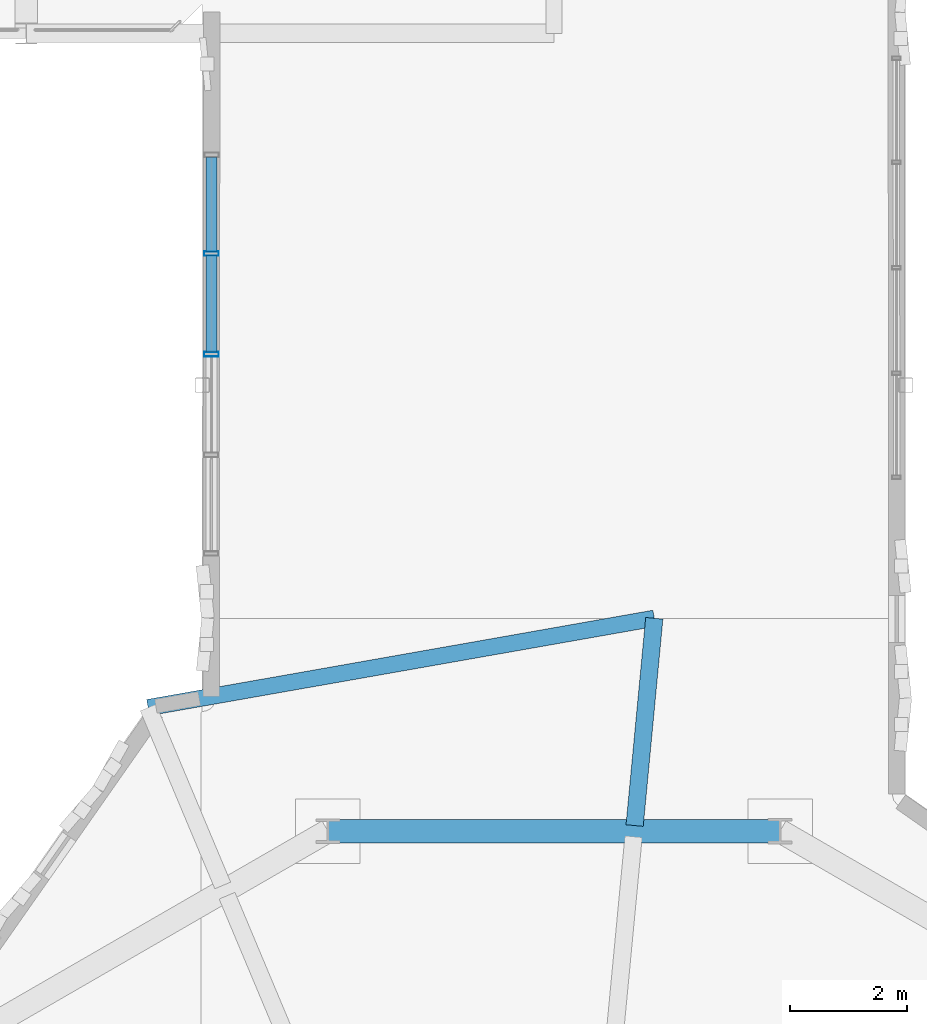
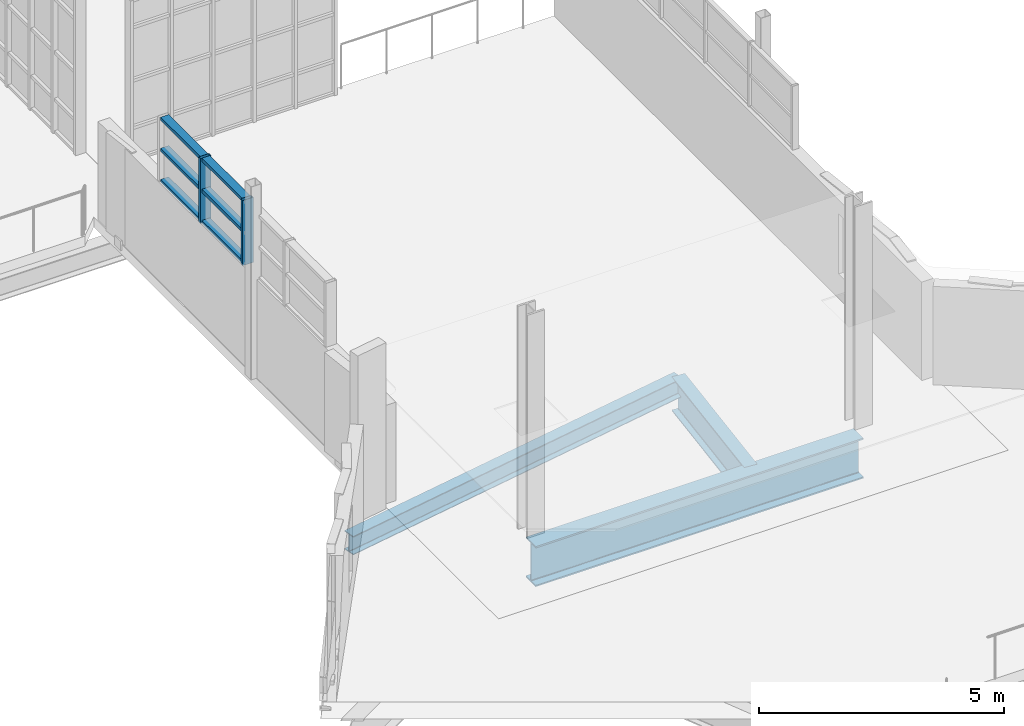
# One storey, part 13 of 36: 8 members, 3 beams, 1 element without a shape of its own.
"""IFC4 building model written with IfcOpenShell, lengths in metres."""

from ifc_helpers import new_model, si_unit, direction, frame, origin, origin_2d, place, context, subcontext, project, spatial, hollow_rectangle, i_section, extrude, material, layer, layer_set, material_profile, profile_set, type_object, element, aggregate, save


model = new_model("IFC4")

# Units and contexts
model_context = context("Model", 3, precision=1e-05, world=origin(), true_north=direction((0.0, 1.0)))
body_context = subcontext(model_context, "Body", "Model", "MODEL_VIEW")
ifc_project = project(units=[si_unit("LENGTHUNIT", "METRE"), si_unit("AREAUNIT", "SQUARE_METRE"), si_unit("VOLUMEUNIT", "CUBIC_METRE"), si_unit("PLANEANGLEUNIT", "RADIAN"), si_unit("MASSUNIT", "GRAM", prefix="KILO"), si_unit("THERMODYNAMICTEMPERATUREUNIT", "KELVIN"), si_unit("POWERUNIT", "WATT")], contexts=[model_context])

# Site, building, storey
site_placement = place(None, origin())
site = spatial("IfcSite", under=ifc_project, at=site_placement, CompositionType="ELEMENT")
building_placement = place(site_placement, origin())
building = spatial("IfcBuilding", under=site, at=building_placement, Name="Zelmaris Science Centre", CompositionType="ELEMENT")
storey_placement = place(building_placement, frame((0.0, 0.0, 25.199951171875)))
storey = spatial("IfcBuildingStorey", under=building, at=storey_placement, Name="L05", CompositionType="ELEMENT", Elevation=25.199951171875)

# Curtain wall, members
ifc_material_1 = material(Name="Anodised architectural aluminium 6063-T6", Category="aluminium")
ifc_layer = layer(ifc_material_1, 0.18994140625, Name="Anodised architectural aluminium 6063-T6")
ifc_layer_set = layer_set([ifc_layer], Name="Anodised architectural aluminium 6063-T6")
curtain_wall_type = type_object("IfcCurtainWallType", Name="Curtain Wall CW-01", PredefinedType="USERDEFINED", material=ifc_layer_set)
curtain_wall_placement = place(storey_placement, origin())
curtain_wall = element("IfcCurtainWall", 1, at=curtain_wall_placement, inside=storey, type_object=curtain_wall_type, Name="L05 Clerestory curtain wall 373", ObjectType="GLAZED CURTAIN WALL", PredefinedType="USERDEFINED")
ifc_material_profile_1 = material_profile(ifc_material_1, hollow_rectangle(XDim=0.080078125, YDim=0.25, WallThickness=0.0048828125, at=origin_2d()), Name="ALU-MUL-80X250")
ifc_profile_set_1 = profile_set([ifc_material_profile_1], Name="Anodised architectural aluminium 6063-T6")
member_type_1 = type_object("IfcMemberType", Name="ALU-MUL-80X250", PredefinedType="MULLION", material=ifc_profile_set_1)
member_1_placement = place(storey_placement, frame((75.157470703125, 58.525390625, 2.420166015625), z_axis=(0.0, 0.0, 1.0), x_axis=(0.000378736439, 0.999999928279, 0.0)))
member_1 = element("IfcMember", 2, at=member_1_placement, type_object=member_type_1, Name="CW-01 mullion 3", PredefinedType="MULLION", context=body_context, shape_type="SweptSolid", body=[
    extrude(hollow_rectangle(XDim=0.080078125, YDim=0.25, WallThickness=0.0048828125, at=origin_2d()), origin(), (0.0, 0.0, 1.0), 1.619873046875),
])
member_2_placement = place(storey_placement, frame((75.158203125, 60.2431640625, 2.420166015625), z_axis=(0.0, 0.0, 1.0), x_axis=(0.000378736439, 0.999999928279, 0.0)))
member_2 = element("IfcMember", 3, at=member_2_placement, type_object=member_type_1, Name="CW-01 mullion 4", PredefinedType="MULLION", context=body_context, shape_type="SweptSolid", body=[
    extrude(hollow_rectangle(XDim=0.080078125, YDim=0.25, WallThickness=0.0048828125, at=origin_2d()), origin(), (0.0, 0.0, 1.0), 1.619873046875),
])
ifc_material_profile_2 = material_profile(ifc_material_1, hollow_rectangle(XDim=0.080078125, YDim=0.18994140625, WallThickness=0.00439453125, at=origin_2d()), Name="ALU-TRN-80X190")
ifc_profile_set_2 = profile_set([ifc_material_profile_2], Name="Anodised architectural aluminium 6063-T6")
member_type_2 = type_object("IfcMemberType", Name="ALU-TRN-80X190", PredefinedType="USERDEFINED", material=ifc_profile_set_2)
member_3_placement = place(storey_placement, frame((75.157470703125, 58.561279296875, 2.4560546875), z_axis=(0.000445037784, 0.999999900971, 0.0), x_axis=(0.0, 0.0, 1.0)))
member_3 = element("IfcMember", 4, at=member_3_placement, type_object=member_type_2, Name="CW-01 transom 3.1", ObjectType="TRANSOM", PredefinedType="USERDEFINED", context=body_context, shape_type="SweptSolid", body=[
    extrude(hollow_rectangle(XDim=0.080078125, YDim=0.18994140625, WallThickness=0.00439453125, at=origin_2d()), origin(), (0.0, 0.0, 1.0), 1.645751953125),
])
member_4_placement = place(storey_placement, frame((75.157470703125, 58.561279296875, 3.22998046875), z_axis=(0.000445037784, 0.999999900971, 0.0), x_axis=(0.0, 0.0, 1.0)))
member_4 = element("IfcMember", 5, at=member_4_placement, type_object=member_type_2, Name="CW-01 transom 3.2", ObjectType="TRANSOM", PredefinedType="USERDEFINED", context=body_context, shape_type="SweptSolid", body=[
    extrude(hollow_rectangle(XDim=0.080078125, YDim=0.18994140625, WallThickness=0.00439453125, at=origin_2d()), origin(), (0.0, 0.0, 1.0), 1.645751953125),
])
member_5_placement = place(storey_placement, frame((75.157470703125, 58.561279296875, 4.004150390625), z_axis=(0.000445037784, 0.999999900971, 0.0), x_axis=(0.0, 0.0, 1.0)))
member_5 = element("IfcMember", 6, at=member_5_placement, type_object=member_type_2, Name="CW-01 transom 3.3", ObjectType="TRANSOM", PredefinedType="USERDEFINED", context=body_context, shape_type="SweptSolid", body=[
    extrude(hollow_rectangle(XDim=0.080078125, YDim=0.18994140625, WallThickness=0.00439453125, at=origin_2d()), origin(), (0.0, 0.0, 1.0), 1.645751953125),
])
member_6_placement = place(storey_placement, frame((75.158203125, 60.279052734375, 2.4560546875), z_axis=(0.000303306022, 0.999999954003, 0.0), x_axis=(0.0, 0.0, 1.0)))
member_6 = element("IfcMember", 7, at=member_6_placement, type_object=member_type_2, Name="CW-01 transom 4.1", ObjectType="TRANSOM", PredefinedType="USERDEFINED", context=body_context, shape_type="SweptSolid", body=[
    extrude(hollow_rectangle(XDim=0.080078125, YDim=0.18994140625, WallThickness=0.00439453125, at=origin_2d()), origin(), (0.0, 0.0, 1.0), 1.60986328125),
])
member_7_placement = place(storey_placement, frame((75.158203125, 60.279052734375, 3.22998046875), z_axis=(0.000303306022, 0.999999954003, 0.0), x_axis=(0.0, 0.0, 1.0)))
member_7 = element("IfcMember", 8, at=member_7_placement, type_object=member_type_2, Name="CW-01 transom 4.2", ObjectType="TRANSOM", PredefinedType="USERDEFINED", context=body_context, shape_type="SweptSolid", body=[
    extrude(hollow_rectangle(XDim=0.080078125, YDim=0.18994140625, WallThickness=0.00439453125, at=origin_2d()), origin(), (0.0, 0.0, 1.0), 1.60986328125),
])
member_8_placement = place(storey_placement, frame((75.158203125, 60.279052734375, 4.004150390625), z_axis=(0.000303306022, 0.999999954003, 0.0), x_axis=(0.0, 0.0, 1.0)))
member_8 = element("IfcMember", 9, at=member_8_placement, type_object=member_type_2, Name="CW-01 transom 4.3", ObjectType="TRANSOM", PredefinedType="USERDEFINED", context=body_context, shape_type="SweptSolid", body=[
    extrude(hollow_rectangle(XDim=0.080078125, YDim=0.18994140625, WallThickness=0.00439453125, at=origin_2d()), origin(), (0.0, 0.0, 1.0), 1.60986328125),
])
aggregate(curtain_wall, [member_1, member_2, member_3, member_4, member_5, member_6, member_7, member_8])

# Beams
ifc_material_2 = material(Name="Steel ASTM A992 Grade 50", Category="steel")
ifc_material_profile_3 = material_profile(ifc_material_2, i_section(OverallWidth=0.294921875, OverallDepth=0.85107421875, WebThickness=0.01611328125, FlangeThickness=0.02685546875, FilletRadius=0.02001953125, at=origin_2d()), Name="W33X152")
ifc_profile_set_3 = profile_set([ifc_material_profile_3], Name="Steel ASTM A992 Grade 50")
beam_type_1 = type_object("IfcBeamType", Name="Beam G-06 W33X152", PredefinedType="BEAM", material=ifc_profile_set_3)
beam_1_placement = place(storey_placement, frame((82.37548828125, 50.48681640625, -0.70556640625), z_axis=(0.094526840747, 0.99552231335, 0.0), x_axis=(-0.99552231335, 0.094526840747, 0.0)))
element("IfcBeam", 10, at=beam_1_placement, inside=storey, type_object=beam_type_1, Name="L05 Radial overhang girder 6", PredefinedType="BEAM", context=body_context, shape_type="SweptSolid", body=[
    extrude(i_section(OverallWidth=0.294921875, OverallDepth=0.85107421875, WebThickness=0.01611328125, FlangeThickness=0.02685546875, FilletRadius=0.02001953125, at=origin_2d()), origin(), (0.0, 0.0, 1.0), 3.55126953125),
])
ifc_material_profile_4 = material_profile(ifc_material_2, i_section(OverallWidth=0.40087890625, OverallDepth=1.0009765625, WebThickness=0.01904296875, FlangeThickness=0.0361328125, FilletRadius=0.02490234375, at=origin_2d()), Name="W40X249")
ifc_profile_set_4 = profile_set([ifc_material_profile_4], Name="Steel ASTM A992 Grade 50")
beam_type_2 = type_object("IfcBeamType", Name="Beam G-22 W40X249", PredefinedType="BEAM", material=ifc_profile_set_4)
beam_2_placement = place(storey_placement, frame((84.8564453125, 50.392333984375, -0.780517578125), z_axis=(-1.0, 0.0, 0.0), x_axis=(0.0, -1.0, 0.0)))
element("IfcBeam", 11, at=beam_2_placement, inside=storey, type_object=beam_type_2, Name="L05 Exhibition inner ring girder 3", PredefinedType="BEAM", context=body_context, shape_type="SweptSolid", body=[
    extrude(i_section(OverallWidth=0.40087890625, OverallDepth=1.0009765625, WebThickness=0.01904296875, FlangeThickness=0.0361328125, FilletRadius=0.02490234375, at=origin_2d()), origin(), (0.0, 0.0, 1.0), 7.712890625),
])
ifc_material_profile_5 = material_profile(ifc_material_2, i_section(OverallWidth=0.279052734375, OverallDepth=0.4619140625, WebThickness=0.0107421875, FlangeThickness=0.017333984375, FilletRadius=0.012939453125, at=origin_2d()), Name="W18X76")
ifc_profile_set_5 = profile_set([ifc_material_profile_5], Name="Steel ASTM A992 Grade 50")
beam_type_3 = type_object("IfcBeamType", Name="Beam SP-03 W18X76", PredefinedType="SPANDREL", material=ifc_profile_set_5)
beam_3_placement = place(storey_placement, frame((82.711181640625, 54.022216796875, -0.510986328125), z_axis=(-0.984809336973, -0.173639194339, 0.0), x_axis=(0.173639194339, -0.984809336973, 0.0)))
element("IfcBeam", 12, at=beam_3_placement, inside=storey, type_object=beam_type_3, Name="L05 Rotated facade spandrel beam 2", PredefinedType="SPANDREL", context=body_context, shape_type="SweptSolid", body=[
    extrude(i_section(OverallWidth=0.279052734375, OverallDepth=0.4619140625, WebThickness=0.0107421875, FlangeThickness=0.017333984375, FilletRadius=0.012939453125, at=origin_2d()), origin(), (0.0, 0.0, 1.0), 8.76806640625),
])

save(model, "model.ifc")
